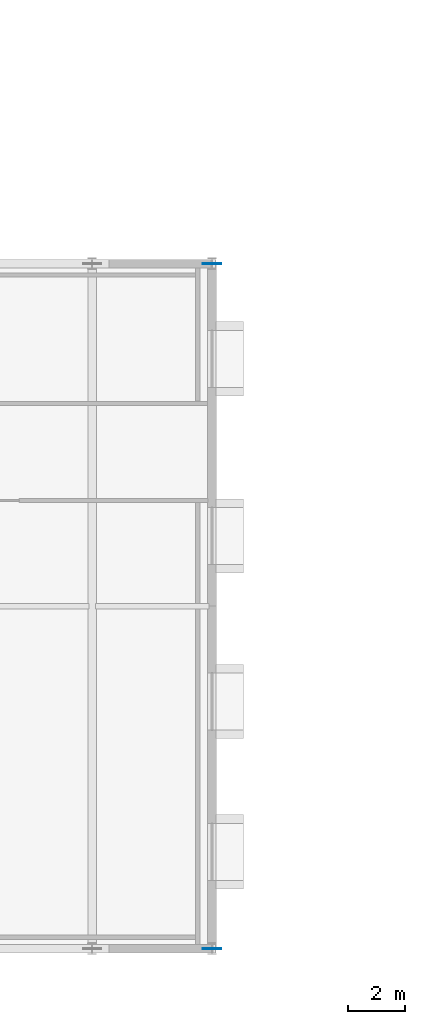
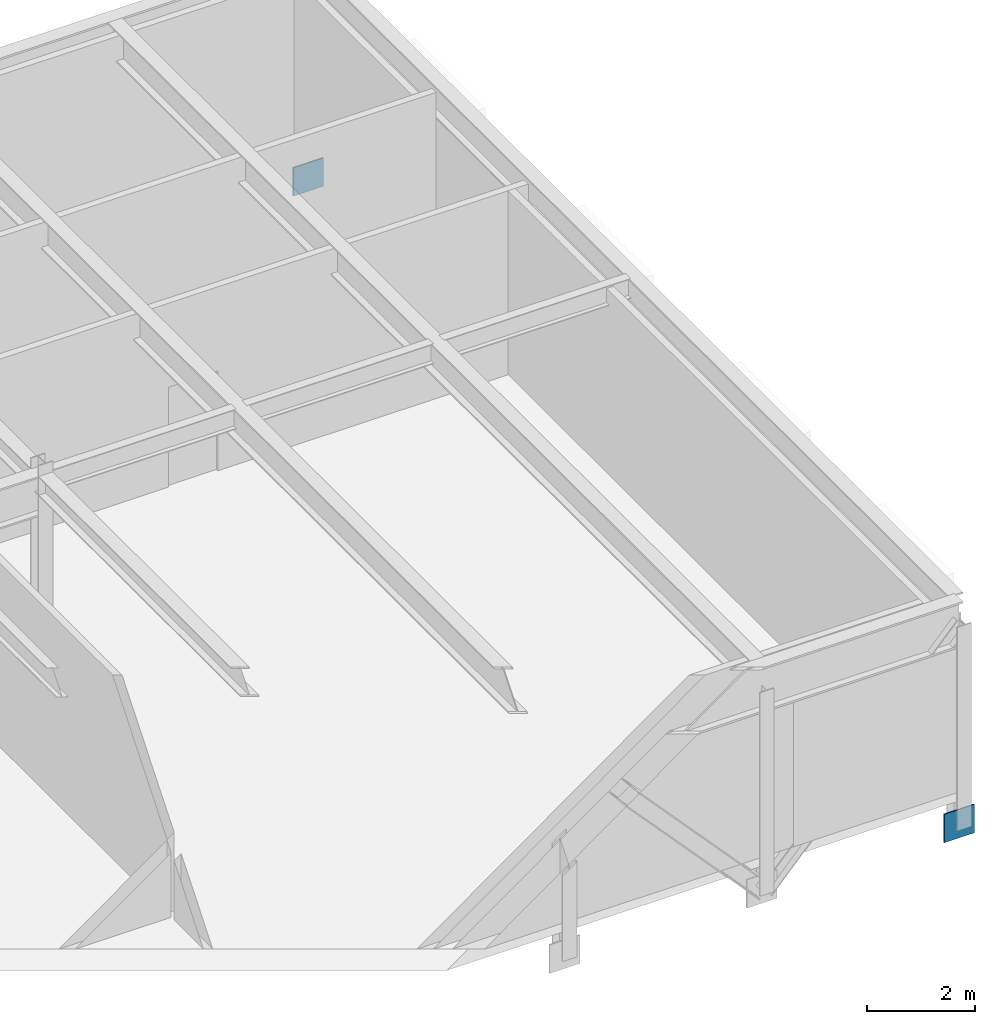
# One storey, part 53 of 67: 2 plates.
"""IFC4 building model written with IfcOpenShell, lengths in metres."""

import ifcopenshell
import ifcopenshell.guid

model = None  # the IFC model being written
_history = None  # IfcOwnerHistory: only IFC2X3 demands one
_inside = {}  # id of a spatial element -> (the spatial element, [elements in it])
_under = {}  # id of a project, library or spatial element -> (it, [spatial elements below it])
_declared = {}  # id of a project -> (the project, [libraries it declares])
_typed = {}  # id of a type object -> (the type object, [elements of that type])
_made_of = {}  # id of a material, layer set ... -> (it, [elements and type objects made of it])


def new_model(schema):
    """Start an empty IFC model of exactly this schema.

    Asked for "IFC4X3", IfcOpenShell would pick the latest addendum, in which some entities
    have other attributes; the version numbers below select the first issue.
    IFC2X3 requires an IfcOwnerHistory on every rooted entity: one is made here for all.
    """
    global model, _history
    if schema == "IFC4X3":
        model = ifcopenshell.file(schema_version=(4, 3, 0, 0))
    else:
        model = ifcopenshell.file(schema=schema)
    _inside.clear()
    _under.clear()
    _declared.clear()
    _typed.clear()
    _made_of.clear()
    _history = None
    if model.schema == "IFC2X3":
        org = make("IfcOrganization", Name="unknown")
        user = make(
            "IfcPersonAndOrganization",
            ThePerson=make("IfcPerson", FamilyName="unknown"),
            TheOrganization=org,
        )
        app = make(
            "IfcApplication",
            ApplicationDeveloper=org,
            Version="unknown",
            ApplicationFullName="unknown",
            ApplicationIdentifier="unknown",
        )
        _history = make(
            "IfcOwnerHistory",
            OwningUser=user,
            OwningApplication=app,
            ChangeAction="ADDED",
            CreationDate=0,
        )
    return model


def make(cls, **values):
    """One entity of the class cls with the attributes given. An attribute that is None is left unset."""
    return model.create_entity(
        cls, **{name: value for name, value in values.items() if value is not None}
    )


def rooted(cls, **values):
    """An entity with a GlobalId (a new one), such as an element, a storey or a relation."""
    return make(cls, GlobalId=ifcopenshell.guid.new(), OwnerHistory=_history, **values)


def si_unit(unit_type, name, prefix=None):
    """IfcSIUnit, for example si_unit("LENGTHUNIT", "METRE", prefix="MILLI")."""
    return make("IfcSIUnit", UnitType=unit_type, Prefix=prefix, Name=name)


def assignment(units):
    """IfcUnitAssignment: the units of a project."""
    return None if units is None else make("IfcUnitAssignment", Units=units)


def point(xyz):
    """IfcCartesianPoint."""
    return None if xyz is None else make("IfcCartesianPoint", Coordinates=xyz)


def direction(xyz):
    """IfcDirection."""
    return None if xyz is None else make("IfcDirection", DirectionRatios=xyz)


def frame(location, z_axis=None, x_axis=None):
    """IfcAxis2Placement3D, a coordinate frame: its origin and axes. An axis left out is left unset."""
    return make(
        "IfcAxis2Placement3D",
        Location=point(location),
        Axis=direction(z_axis),
        RefDirection=direction(x_axis),
    )


def frame_2d(location, x_axis=None):
    """IfcAxis2Placement2D, a coordinate frame in the plane: its origin and x axis."""
    return make(
        "IfcAxis2Placement2D", Location=point(location), RefDirection=direction(x_axis)
    )


def origin():
    """The frame at (0, 0, 0) with its axes left unset."""
    return frame((0.0, 0.0, 0.0))


def origin_2d():
    """The frame at (0, 0) in the plane with its x axis left unset."""
    return frame_2d((0.0, 0.0))


def place(relative_to, where):
    """IfcLocalPlacement: puts the frame where relative to a parent placement (None: the world)."""
    return make(
        "IfcLocalPlacement", PlacementRelTo=relative_to, RelativePlacement=where
    )


def context(
    kind, dimensions, precision=None, world=None, true_north=None, identifier=None
):
    """IfcGeometricRepresentationContext, for example the 3D "Model" context."""
    return make(
        "IfcGeometricRepresentationContext",
        ContextIdentifier=identifier,
        ContextType=kind,
        CoordinateSpaceDimension=dimensions,
        Precision=precision,
        WorldCoordinateSystem=world,
        TrueNorth=true_north,
    )


def subcontext(parent, identifier, kind, view, scale=None):
    """IfcGeometricRepresentationSubContext, for example "Body" below "Model"."""
    return make(
        "IfcGeometricRepresentationSubContext",
        ContextIdentifier=identifier,
        ContextType=kind,
        ParentContext=parent,
        TargetScale=scale,
        TargetView=view,
    )


def project(units=None, contexts=None):
    """IfcProject with its units and contexts."""
    return rooted(
        "IfcProject",
        Name="project",
        RepresentationContexts=contexts,
        UnitsInContext=assignment(units),
    )


def spatial(cls, under=None, at=None, **own):
    """A site, building, storey or space (cls), placed at a placement, below another one or the project."""
    s = rooted(cls, ObjectPlacement=at, **own)
    if under is not None:
        _under.setdefault(under.id(), (under, []))[1].append(s)
    return s


def profile(cls, at=None, kind="AREA", **sizes):
    """A parametric profile (cls). Its sizes go by their IFC names, for example OverallWidth=200.0."""
    return make(cls, ProfileType=kind, Position=at, **sizes)


def rectangle(**sizes):
    """IfcRectangleProfileDef."""
    return profile("IfcRectangleProfileDef", **sizes)


def extrude(swept, where, along, depth):
    """IfcExtrudedAreaSolid: the profile swept, set in the frame where, extruded along a direction by depth."""
    return make(
        "IfcExtrudedAreaSolid",
        SweptArea=swept,
        Position=where,
        ExtrudedDirection=direction(along),
        Depth=depth,
    )


def shape(context_of_items, identifier, shape_type, items):
    """IfcShapeRepresentation: the items that make up one representation, for example the "Body"."""
    return make(
        "IfcShapeRepresentation",
        ContextOfItems=context_of_items,
        RepresentationIdentifier=identifier,
        RepresentationType=shape_type,
        Items=items,
    )


def material(Name=None, Category=None):
    """IfcMaterial."""
    return make("IfcMaterial", Name=Name, Category=Category)


def layer(
    of_material, thickness, ventilated=None, Name=None, Category=None, Priority=None
):
    """IfcMaterialLayer: one layer of a wall or slab, of a material (None: an air gap)."""
    return make(
        "IfcMaterialLayer",
        Material=of_material,
        LayerThickness=thickness,
        IsVentilated=ventilated,
        Name=Name,
        Category=Category,
        Priority=Priority,
    )


def layer_set(layers, Name=None):
    """IfcMaterialLayerSet."""
    return make("IfcMaterialLayerSet", MaterialLayers=layers, LayerSetName=Name)


def made_of(thing, what):
    """Note that an element or type object is made of a material, layer set ...; save() writes the relation."""
    if what is not None:
        _made_of.setdefault(what.id(), (what, []))[1].append(thing)
    return thing


def type_object(cls, material=None, **own):
    """A type object (cls), such as IfcWallType, which elements share."""
    return made_of(rooted(cls, **own), material)


def element(
    cls,
    number,
    at=None,
    inside=None,
    cuts=None,
    type_object=None,
    material=None,
    context=None,
    identifier="Body",
    shape_type=None,
    held_by="IfcProductDefinitionShape",
    body=None,
    shapes=None,
    **own,
):
    """One element of the class cls, such as IfcWall. Its Tag is "e" and its number.

    at: its placement. inside: the storey or other place that contains it. cuts: it is an
    opening in that element (IfcRelVoidsElement). A single representation is given by context,
    identifier, shape_type and body (its items); several are given by shapes. held_by: the class
    of the entity that holds the representations. save() writes the other relations.
    """
    e = rooted(cls, Tag="e%d" % number, ObjectPlacement=at, **own)
    if body is not None:
        shapes = [shape(context, identifier, shape_type, body)]
    if shapes is not None:
        e.Representation = make(held_by, Representations=shapes)
    if inside is not None:
        _inside.setdefault(inside.id(), (inside, []))[1].append(e)
    if cuts is not None:
        rooted(
            "IfcRelVoidsElement", RelatingBuildingElement=cuts, RelatedOpeningElement=e
        )
    if type_object is not None:
        _typed.setdefault(type_object.id(), (type_object, []))[1].append(e)
    return made_of(e, material)


def aggregate(whole, parts):
    """IfcRelAggregates: a whole, such as a stair, and the parts it consists of."""
    return rooted("IfcRelAggregates", RelatingObject=whole, RelatedObjects=parts)


def save(model, path):
    """Write the relations noted so far, then the file.

    IfcRelAggregates (storeys below a building ...), IfcRelContainedInSpatialStructure (elements
    in a storey), IfcRelDefinesByType, IfcRelAssociatesMaterial and IfcRelDeclares: one each for
    every whole, place, type object, material and project.
    """
    for whole, parts in _under.values():
        aggregate(whole, parts)
    for where, things in _inside.values():
        rooted(
            "IfcRelContainedInSpatialStructure",
            RelatedElements=things,
            RelatingStructure=where,
        )
    for kind, things in _typed.values():
        rooted("IfcRelDefinesByType", RelatedObjects=things, RelatingType=kind)
    for what, things in _made_of.values():
        rooted("IfcRelAssociatesMaterial", RelatedObjects=things, RelatingMaterial=what)
    for by, libraries in _declared.values():
        rooted("IfcRelDeclares", RelatingContext=by, RelatedDefinitions=libraries)
    model.write(path)


model = new_model("IFC4")

# Units and contexts
model_context = context("Model", 3, precision=1e-05, world=origin(), true_north=direction((0.0, 1.0)))
body_context = subcontext(model_context, "Body", "Model", "MODEL_VIEW")
ifc_project = project(units=[si_unit("LENGTHUNIT", "METRE"), si_unit("AREAUNIT", "SQUARE_METRE"), si_unit("VOLUMEUNIT", "CUBIC_METRE"), si_unit("PLANEANGLEUNIT", "RADIAN"), si_unit("MASSUNIT", "GRAM", prefix="KILO")], contexts=[model_context])

# Site, building, storey
site_placement = place(None, origin())
site = spatial("IfcSite", under=ifc_project, at=site_placement, CompositionType="ELEMENT")
building_placement = place(site_placement, origin())
building = spatial("IfcBuilding", under=site, at=building_placement, Name="Montelvaro Courts of Justice", CompositionType="ELEMENT")
storey_placement = place(building_placement, frame((0.0, 0.0, 18.89990234375)))
storey = spatial("IfcBuildingStorey", under=building, at=storey_placement, Name="L04", CompositionType="ELEMENT", Elevation=18.89990234375)

# Plates
ifc_material = material(Name="Steel S355", Category="steel")
ifc_layer = layer(ifc_material, 0.028076171875)
ifc_layer_set = layer_set([ifc_layer], Name="Steel S355")
plate_type = type_object("IfcPlateType", Name="GussetPlate_28", PredefinedType="USERDEFINED", material=ifc_layer_set)
for number, where, z_axis, x_axis, name in (
    (1, (147.60009765625, 0.0, -1.14404296875), (0.0, 0.0, 1.0), (1.0, 0.0, 0.0), "Pratt Truss Gusset Plate GP-02 CTR-BAR2-S-L04-3B"),
    (2, (147.60009765625, 24.0, -1.14404296875), (0.0, 0.0, 1.0), (1.0, 0.0, 0.0), "Pratt Truss Gusset Plate GP-02 CTR-BAR2-N-L04-3B"),
):
    element("IfcPlate", number, at=place(storey_placement, frame(where, z_axis=z_axis, x_axis=x_axis)), inside=storey, type_object=plate_type, Name=name, ObjectType="GUSSET PLATE", PredefinedType="USERDEFINED", context=body_context, shape_type="SweptSolid", body=[
        extrude(rectangle(XDim=0.639892578125, YDim=0.028076171875, at=origin_2d()), origin(), (0.0, 0.0, 1.0), 0.639892578125),
    ])

save(model, "model.ifc")
